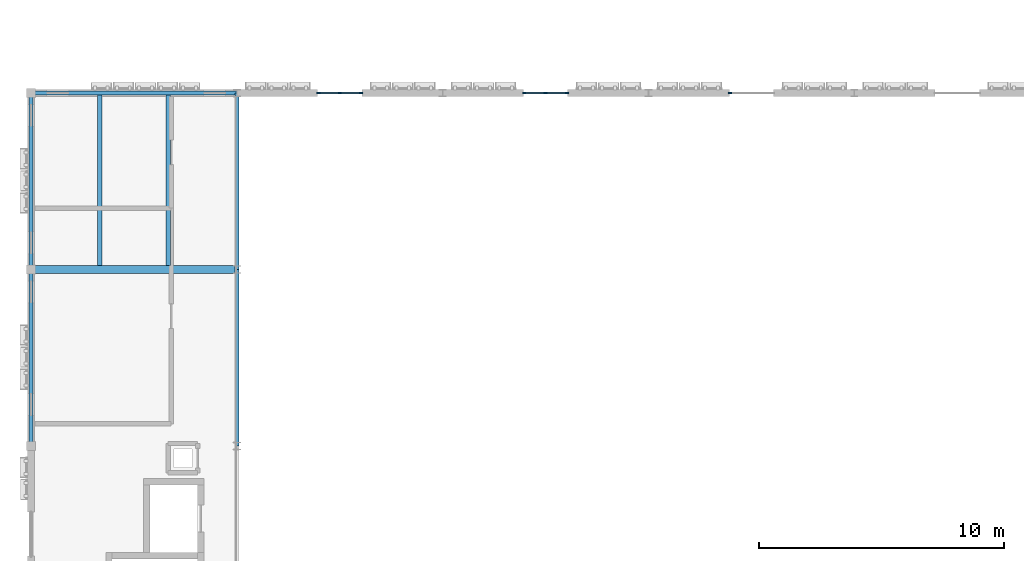
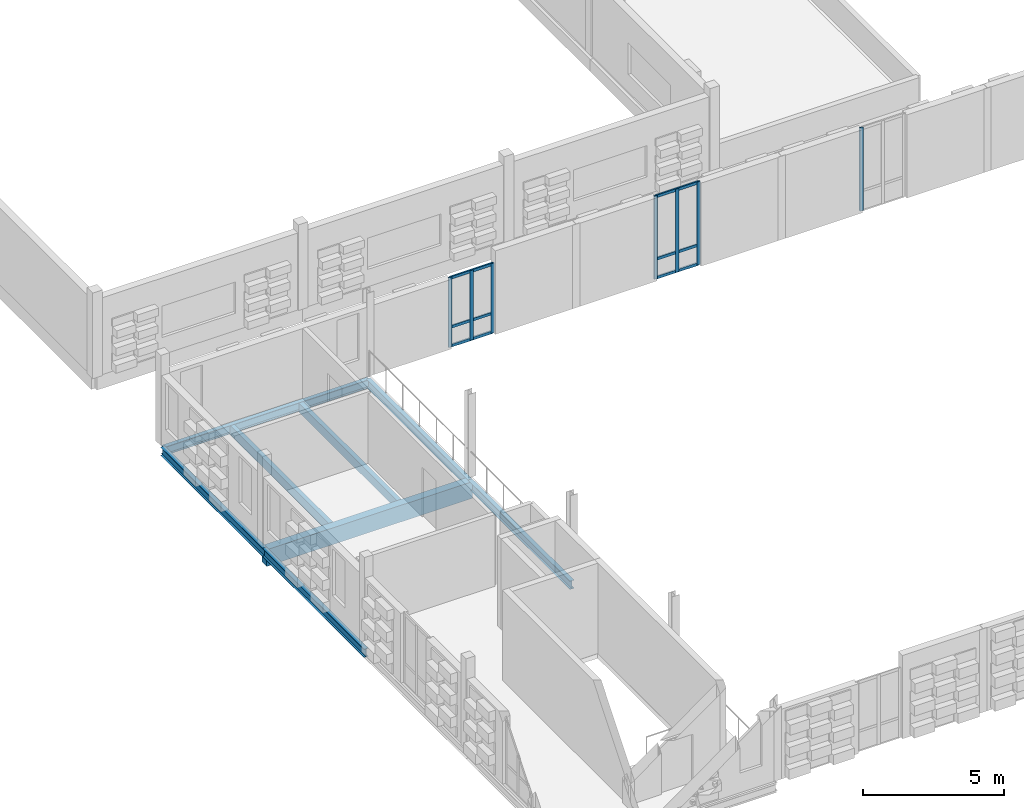
# One storey, part 7 of 57: 13 members, 8 beams, 3 elements without a shape of their own.
"""IFC4 building model written with IfcOpenShell, lengths in metres."""

from ifc_helpers import new_model, si_unit, direction, frame, origin, origin_2d, place, context, subcontext, project, spatial, rectangle, i_section, extrude, material, material_profile, profile_set, type_object, element, aggregate, save


model = new_model("IFC4")

# Units and contexts
model_context = context("Model", 3, precision=1e-05, world=origin(), true_north=direction((0.0, 1.0)))
body_context = subcontext(model_context, "Body", "Model", "MODEL_VIEW")
ifc_project = project(units=[si_unit("LENGTHUNIT", "METRE"), si_unit("AREAUNIT", "SQUARE_METRE"), si_unit("VOLUMEUNIT", "CUBIC_METRE"), si_unit("PLANEANGLEUNIT", "RADIAN"), si_unit("MASSUNIT", "GRAM", prefix="KILO")], contexts=[model_context])

# Site, building, storey
site_placement = place(None, origin())
site = spatial("IfcSite", under=ifc_project, at=site_placement, CompositionType="ELEMENT")
building_placement = place(site_placement, origin())
building = spatial("IfcBuilding", under=site, at=building_placement, Name="Kahlenmark Community Centre", CompositionType="ELEMENT")
storey_placement = place(building_placement, frame((0.0, 0.0, 13.800048828125)))
storey = spatial("IfcBuildingStorey", under=building, at=storey_placement, Name="L03", CompositionType="ELEMENT", Elevation=13.800048828125)

# Beams
ifc_material_1 = material(Name="Glulam GL32h", Category="wood")
ifc_material_profile_1 = material_profile(ifc_material_1, rectangle(XDim=0.320068359375, YDim=0.719970703125, at=origin_2d()), Name="GL32h 320x720")
ifc_profile_set_1 = profile_set([ifc_material_profile_1], Name="Glulam GL32h")
beam_type_1 = type_object("IfcBeamType", Name="BT-BEAM-GL32h320x720", PredefinedType="BEAM", material=ifc_profile_set_1)
beam_1_placement = place(storey_placement, frame((4.0, 30.39990234375, -0.56005859375), z_axis=(1.0, 0.0, 0.0), x_axis=(0.0, 1.0, 0.0)))
element("IfcBeam", 1, at=beam_1_placement, inside=storey, type_object=beam_type_1, Name="L03 beam BG-GL32h320x720", PredefinedType="BEAM", context=body_context, shape_type="SweptSolid", body=[
    extrude(rectangle(XDim=0.320068359375, YDim=0.719970703125, at=origin_2d()), origin(), (0.0, 0.0, 1.0), 8.39990234375),
])
ifc_material_2 = material(Name="Glulam GL28h", Category="wood")
ifc_material_profile_2 = material_profile(ifc_material_2, rectangle(XDim=0.179931640625, YDim=0.39990234375, at=origin_2d()), Name="GL28h 180x400")
ifc_profile_set_2 = profile_set([ifc_material_profile_2], Name="Glulam GL28h")
beam_type_2 = type_object("IfcBeamType", Name="BT-JOIST-GL28h180x400", PredefinedType="JOIST", material=ifc_profile_set_2)
for number, where, z_axis, x_axis, name in (
    (2, (6.800048828125, 30.55810546875, -0.400146484375), (0.0, 1.0, 0.0), (-1.0, 0.0, 0.0), "L03 joist BJ-GL28h180x400"),
    (3, (9.60009765625, 30.55810546875, -0.400146484375), (0.0, 1.0, 0.0), (-1.0, 0.0, 0.0), "L03 joist BJ-GL28h180x400"),
):
    element("IfcBeam", number, at=place(storey_placement, frame(where, z_axis=z_axis, x_axis=x_axis)), inside=storey, type_object=beam_type_2, Name=name, PredefinedType="JOIST", context=body_context, shape_type="SweptSolid", body=[
        extrude(rectangle(XDim=0.179931640625, YDim=0.39990234375, at=origin_2d()), origin(), (0.0, 0.0, 1.0), 6.958984375),
    ])
ifc_material_3 = material(Name="Steel S355", Category="steel")
ifc_material_profile_3 = material_profile(ifc_material_3, i_section(OverallWidth=0.169921875, OverallDepth=0.360107421875, WebThickness=0.008056640625, FlangeThickness=0.0126953125, at=origin_2d()), Name="IPE 360")
ifc_profile_set_3 = profile_set([ifc_material_profile_3], Name="Steel S355")
beam_type_3 = type_object("IfcBeamType", Name="BT-SPANDREL-IPE360", PredefinedType="SPANDREL", material=ifc_profile_set_3)
beam_2_placement = place(storey_placement, frame((4.0, 37.60009765625, -0.380126953125), z_axis=(1.0, 0.0, 0.0), x_axis=(0.0, 1.0, 0.0)))
element("IfcBeam", 4, at=beam_2_placement, inside=storey, type_object=beam_type_3, Name="L03 spandrel SP-IPE360", PredefinedType="SPANDREL", context=body_context, shape_type="SweptSolid", body=[
    extrude(i_section(OverallWidth=0.169921875, OverallDepth=0.360107421875, WebThickness=0.008056640625, FlangeThickness=0.0126953125, at=origin_2d()), origin(), (0.0, 0.0, 1.0), 8.39990234375),
])
beam_3_placement = place(storey_placement, frame((4.0, 23.199951171875, -0.380126953125), z_axis=(0.0, 1.0, 0.0), x_axis=(-1.0, 0.0, 0.0)))
element("IfcBeam", 5, at=beam_3_placement, inside=storey, type_object=beam_type_3, Name="L03 spandrel SP-IPE360", PredefinedType="SPANDREL", context=body_context, shape_type="SweptSolid", body=[
    extrude(i_section(OverallWidth=0.169921875, OverallDepth=0.360107421875, WebThickness=0.008056640625, FlangeThickness=0.0126953125, at=origin_2d()), origin(), (0.0, 0.0, 1.0), 7.199951171875),
])
beam_4_placement = place(storey_placement, frame((4.0, 30.39990234375, -0.380126953125), z_axis=(0.0, 1.0, 0.0), x_axis=(-1.0, 0.0, 0.0)))
element("IfcBeam", 6, at=beam_4_placement, inside=storey, type_object=beam_type_3, Name="L03 spandrel SP-IPE360", PredefinedType="SPANDREL", context=body_context, shape_type="SweptSolid", body=[
    extrude(i_section(OverallWidth=0.169921875, OverallDepth=0.360107421875, WebThickness=0.008056640625, FlangeThickness=0.0126953125, at=origin_2d()), origin(), (0.0, 0.0, 1.0), 7.2001953125),
])
beam_5_placement = place(storey_placement, frame((12.39990234375, 23.199951171875, -0.380126953125), z_axis=(0.0, 1.0, 0.0), x_axis=(-1.0, 0.0, 0.0)))
element("IfcBeam", 7, at=beam_5_placement, inside=storey, type_object=beam_type_3, Name="L03 spandrel SP-IPE360", PredefinedType="SPANDREL", context=body_context, shape_type="SweptSolid", body=[
    extrude(i_section(OverallWidth=0.169921875, OverallDepth=0.360107421875, WebThickness=0.008056640625, FlangeThickness=0.0126953125, at=origin_2d()), origin(), (0.0, 0.0, 1.0), 7.199951171875),
])
beam_6_placement = place(storey_placement, frame((12.39990234375, 30.39990234375, -0.380126953125), z_axis=(0.0, 1.0, 0.0), x_axis=(-1.0, 0.0, 0.0)))
element("IfcBeam", 8, at=beam_6_placement, inside=storey, type_object=beam_type_3, Name="L03 spandrel SP-IPE360", PredefinedType="SPANDREL", context=body_context, shape_type="SweptSolid", body=[
    extrude(i_section(OverallWidth=0.169921875, OverallDepth=0.360107421875, WebThickness=0.008056640625, FlangeThickness=0.0126953125, at=origin_2d()), origin(), (0.0, 0.0, 1.0), 7.2001953125),
])

# Curtain wall, members
ifc_material_4 = material(Name="Anodised aluminium unitised curtain wall", Category="aluminium")
curtain_wall_type_1 = type_object("IfcCurtainWallType", Name="CWT-UNIT-180X301", PredefinedType="USERDEFINED", material=ifc_material_4)
curtain_wall_1_placement = place(storey_placement, origin())
curtain_wall_1 = element("IfcCurtainWall", 9, at=curtain_wall_1_placement, inside=storey, type_object=curtain_wall_type_1, Name="Unitised curtain wall CW-109", ObjectType="UNITISED CURTAIN WALL", PredefinedType="USERDEFINED")
ifc_material_5 = material(Name="Anodised aluminium 6063-T6", Category="aluminium")
ifc_material_profile_4 = material_profile(ifc_material_5, rectangle(XDim=0.06005859375, YDim=0.139892578125, at=origin_2d()), Name="ALU MULLION 60x140")
ifc_profile_set_4 = profile_set([ifc_material_profile_4], Name="Anodised aluminium 6063-T6")
member_type_1 = type_object("IfcMemberType", Name="MT-MUL-140", PredefinedType="MULLION", material=ifc_profile_set_4)
member_1_placement = place(storey_placement, frame((17.469970703125, 37.60009765625, 0.0), z_axis=(0.0, 0.0, 1.0), x_axis=(0.0, -1.0, 0.0)))
member_1 = element("IfcMember", 10, at=member_1_placement, type_object=member_type_1, Name="CW-109 mullion 1", PredefinedType="MULLION", context=body_context, shape_type="SweptSolid", body=[
    extrude(rectangle(XDim=0.06005859375, YDim=0.139892578125, at=origin_2d()), origin(), (0.0, 0.0, 1.0), 3.010009765625),
])
member_2_placement = place(storey_placement, frame((16.60009765625, 37.60009765625, 0.0), z_axis=(0.0, 0.0, 1.0), x_axis=(0.0, -1.0, 0.0)))
member_2 = element("IfcMember", 11, at=member_2_placement, type_object=member_type_1, Name="CW-109 mullion 2", PredefinedType="MULLION", context=body_context, shape_type="SweptSolid", body=[
    extrude(rectangle(XDim=0.06005859375, YDim=0.139892578125, at=origin_2d()), origin(), (0.0, 0.0, 1.0), 3.010009765625),
])
member_3_placement = place(storey_placement, frame((15.72998046875, 37.60009765625, 0.0), z_axis=(0.0, 0.0, 1.0), x_axis=(0.0, -1.0, 0.0)))
member_3 = element("IfcMember", 12, at=member_3_placement, type_object=member_type_1, Name="CW-109 mullion 3", PredefinedType="MULLION", context=body_context, shape_type="SweptSolid", body=[
    extrude(rectangle(XDim=0.06005859375, YDim=0.139892578125, at=origin_2d()), origin(), (0.0, 0.0, 1.0), 3.010009765625),
])

curtain_wall_type_2 = type_object("IfcCurtainWallType", Name="CWT-UNIT-180X359", PredefinedType="USERDEFINED", material=ifc_material_4)
curtain_wall_2_placement = place(storey_placement, origin())
curtain_wall_2 = element("IfcCurtainWall", 13, at=curtain_wall_2_placement, inside=storey, type_object=curtain_wall_type_2, Name="Unitised curtain wall CW-110", ObjectType="UNITISED CURTAIN WALL", PredefinedType="USERDEFINED")
member_4_placement = place(storey_placement, frame((25.8701171875, 37.60009765625, 0.0), z_axis=(0.0, 0.0, 1.0), x_axis=(0.0, -1.0, 0.0)))
member_4 = element("IfcMember", 14, at=member_4_placement, type_object=member_type_1, Name="CW-110 mullion 1", PredefinedType="MULLION", context=body_context, shape_type="SweptSolid", body=[
    extrude(rectangle(XDim=0.06005859375, YDim=0.139892578125, at=origin_2d()), origin(), (0.0, 0.0, 1.0), 3.58984375),
])
member_5_placement = place(storey_placement, frame((25.0, 37.60009765625, 0.0), z_axis=(0.0, 0.0, 1.0), x_axis=(0.0, -1.0, 0.0)))
member_5 = element("IfcMember", 15, at=member_5_placement, type_object=member_type_1, Name="CW-110 mullion 2", PredefinedType="MULLION", context=body_context, shape_type="SweptSolid", body=[
    extrude(rectangle(XDim=0.06005859375, YDim=0.139892578125, at=origin_2d()), origin(), (0.0, 0.0, 1.0), 3.58984375),
])
member_6_placement = place(storey_placement, frame((24.1298828125, 37.60009765625, 0.0), z_axis=(0.0, 0.0, 1.0), x_axis=(0.0, -1.0, 0.0)))
member_6 = element("IfcMember", 16, at=member_6_placement, type_object=member_type_1, Name="CW-110 mullion 3", PredefinedType="MULLION", context=body_context, shape_type="SweptSolid", body=[
    extrude(rectangle(XDim=0.06005859375, YDim=0.139892578125, at=origin_2d()), origin(), (0.0, 0.0, 1.0), 3.58984375),
])

# Curtain wall, member
curtain_wall_3_placement = place(storey_placement, origin())
curtain_wall_3 = element("IfcCurtainWall", 17, at=curtain_wall_3_placement, inside=storey, type_object=curtain_wall_type_2, Name="Unitised curtain wall CW-111", ObjectType="UNITISED CURTAIN WALL", PredefinedType="USERDEFINED")
member_7_placement = place(storey_placement, frame((32.530029296875, 37.60009765625, 0.0), z_axis=(0.0, 0.0, 1.0), x_axis=(0.0, -1.0, 0.0)))
member_7 = element("IfcMember", 18, at=member_7_placement, type_object=member_type_1, Name="CW-111 mullion 3", PredefinedType="MULLION", context=body_context, shape_type="SweptSolid", body=[
    extrude(rectangle(XDim=0.06005859375, YDim=0.139892578125, at=origin_2d()), origin(), (0.0, 0.0, 1.0), 3.58984375),
])
aggregate(curtain_wall_3, [member_7])

# Member
ifc_material_profile_5 = material_profile(ifc_material_5, rectangle(XDim=0.06005859375, YDim=0.1201171875, at=origin_2d()), Name="ALU TRANSOM 60x120")
ifc_profile_set_5 = profile_set([ifc_material_profile_5], Name="Anodised aluminium 6063-T6")
member_type_2 = type_object("IfcMemberType", Name="MT-TRN-120", PredefinedType="USERDEFINED", material=ifc_profile_set_5)
member_8_placement = place(storey_placement, frame((17.469970703125, 37.60009765625, 0.0400390625), z_axis=(-1.0, 0.0, 0.0), x_axis=(0.0, -1.0, 0.0)))
member_8 = element("IfcMember", 19, at=member_8_placement, type_object=member_type_2, Name="CW-109 transom 1", ObjectType="TRANSOM", PredefinedType="USERDEFINED", context=body_context, shape_type="SweptSolid", body=[
    extrude(rectangle(XDim=0.06005859375, YDim=0.1201171875, at=origin_2d()), origin(), (0.0, 0.0, 1.0), 1.739990234375),
])

member_9_placement = place(storey_placement, frame((17.469970703125, 37.60009765625, 0.849853515625), z_axis=(-1.0, 0.0, 0.0), x_axis=(0.0, -1.0, 0.0)))
member_9 = element("IfcMember", 20, at=member_9_placement, type_object=member_type_2, Name="CW-109 transom 2", ObjectType="TRANSOM", PredefinedType="USERDEFINED", context=body_context, shape_type="SweptSolid", body=[
    extrude(rectangle(XDim=0.06005859375, YDim=0.1201171875, at=origin_2d()), origin(), (0.0, 0.0, 1.0), 1.739990234375),
])

member_10_placement = place(storey_placement, frame((17.469970703125, 37.60009765625, 2.969970703125), z_axis=(-1.0, 0.0, 0.0), x_axis=(0.0, -1.0, 0.0)))
member_10 = element("IfcMember", 21, at=member_10_placement, type_object=member_type_2, Name="CW-109 transom 3", ObjectType="TRANSOM", PredefinedType="USERDEFINED", context=body_context, shape_type="SweptSolid", body=[
    extrude(rectangle(XDim=0.06005859375, YDim=0.1201171875, at=origin_2d()), origin(), (0.0, 0.0, 1.0), 1.739990234375),
])

aggregate(curtain_wall_1, [member_1, member_2, member_3, member_8, member_9, member_10])

member_11_placement = place(storey_placement, frame((25.8701171875, 37.60009765625, 0.0400390625), z_axis=(-1.0, 0.0, 0.0), x_axis=(0.0, -1.0, 0.0)))
member_11 = element("IfcMember", 22, at=member_11_placement, type_object=member_type_2, Name="CW-110 transom 1", ObjectType="TRANSOM", PredefinedType="USERDEFINED", context=body_context, shape_type="SweptSolid", body=[
    extrude(rectangle(XDim=0.06005859375, YDim=0.1201171875, at=origin_2d()), origin(), (0.0, 0.0, 1.0), 1.740234375),
])

member_12_placement = place(storey_placement, frame((25.8701171875, 37.60009765625, 0.849853515625), z_axis=(-1.0, 0.0, 0.0), x_axis=(0.0, -1.0, 0.0)))
member_12 = element("IfcMember", 23, at=member_12_placement, type_object=member_type_2, Name="CW-110 transom 2", ObjectType="TRANSOM", PredefinedType="USERDEFINED", context=body_context, shape_type="SweptSolid", body=[
    extrude(rectangle(XDim=0.06005859375, YDim=0.1201171875, at=origin_2d()), origin(), (0.0, 0.0, 1.0), 1.740234375),
])

member_13_placement = place(storey_placement, frame((25.8701171875, 37.60009765625, 3.550048828125), z_axis=(-1.0, 0.0, 0.0), x_axis=(0.0, -1.0, 0.0)))
member_13 = element("IfcMember", 24, at=member_13_placement, type_object=member_type_2, Name="CW-110 transom 3", ObjectType="TRANSOM", PredefinedType="USERDEFINED", context=body_context, shape_type="SweptSolid", body=[
    extrude(rectangle(XDim=0.06005859375, YDim=0.1201171875, at=origin_2d()), origin(), (0.0, 0.0, 1.0), 1.740234375),
])

aggregate(curtain_wall_2, [member_4, member_5, member_6, member_11, member_12, member_13])

save(model, "model.ifc")
